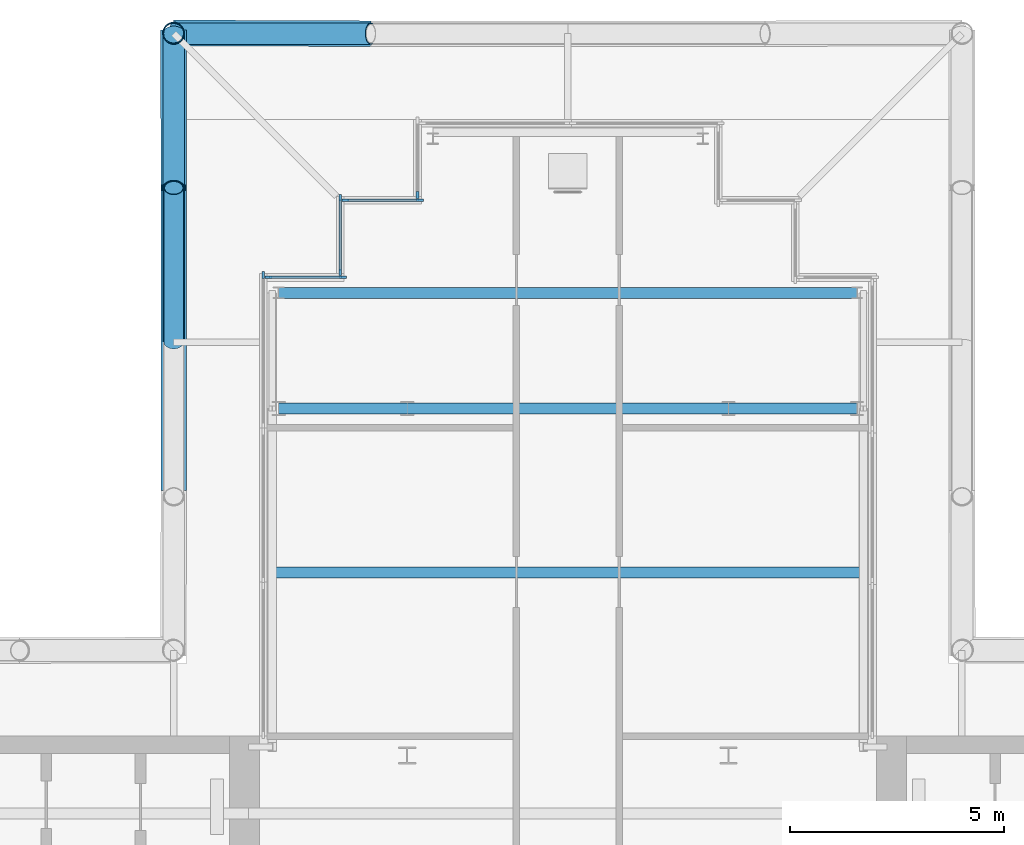
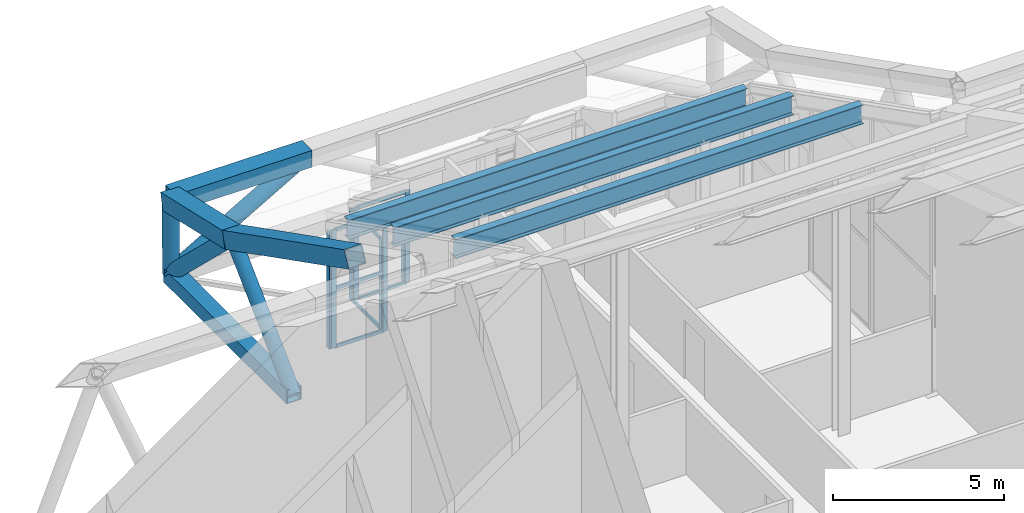
# One storey, part 13 of 25: 23 members, 3 beams, 5 elements without a shape of their own.
"""IFC4 building model written with IfcOpenShell, lengths in metres."""

from ifc_helpers import new_model, si_unit, direction, frame, origin, origin_2d, place, context, subcontext, project, spatial, rectangle, hollow_rectangle, hollow_circle, i_section, extrude, material, material_profile, profile_set, type_object, element, aggregate, save


model = new_model("IFC4")

# Units and contexts
model_context = context("Model", 3, precision=1e-05, world=origin(), true_north=direction((0.0, 1.0)))
body_context = subcontext(model_context, "Body", "Model", "MODEL_VIEW")
ifc_project = project(units=[si_unit("LENGTHUNIT", "METRE"), si_unit("AREAUNIT", "SQUARE_METRE"), si_unit("VOLUMEUNIT", "CUBIC_METRE"), si_unit("PLANEANGLEUNIT", "RADIAN"), si_unit("MASSUNIT", "GRAM", prefix="KILO")], contexts=[model_context])

# Site, building, storey
site_placement = place(None, origin())
site = spatial("IfcSite", under=ifc_project, at=site_placement, CompositionType="ELEMENT")
building_placement = place(site_placement, origin())
building = spatial("IfcBuilding", under=site, at=building_placement, Name="Fustian Cross Tower", CompositionType="ELEMENT")
storey_placement = place(building_placement, frame((0.0, 0.0, 247.5)))
storey = spatial("IfcBuildingStorey", under=building, at=storey_placement, Name="L77", CompositionType="ELEMENT", Elevation=247.5)

# Curtain wall, member
ifc_material_1 = material(Name="Glass", Category="glass")
curtain_wall_type = type_object("IfcCurtainWallType", Name="CW6 CURTAIN WALL", PredefinedType="NOTDEFINED", material=ifc_material_1)
curtain_wall_1_placement = place(storey_placement, origin())
curtain_wall_1 = element("IfcCurtainWall", 1, at=curtain_wall_1_placement, inside=storey, type_object=curtain_wall_type, Name="Curtain wall CW6", PredefinedType="NOTDEFINED")
ifc_material_2 = material(Name="Aluminium alloy 6063", Category="aluminium")
ifc_material_profile_1 = material_profile(ifc_material_2, rectangle(XDim=0.06005859375, YDim=0.159912109375, at=origin_2d()), Name="CW6 MULLION 60x160")
ifc_profile_set_1 = profile_set([ifc_material_profile_1], Name="Aluminium alloy 6063")
member_type_1 = type_object("IfcMemberType", Name="CW6 MULLION 60x160", PredefinedType="MULLION", material=ifc_profile_set_1)
member_1_placement = place(storey_placement, frame((-3.510009765625, 19.830078125, 0.0), z_axis=(0.0, 0.0, 1.0), x_axis=(1.0, 0.0, 0.0)))
member_1 = element("IfcMember", 2, at=member_1_placement, type_object=member_type_1, Name="CW6 mullion 2", PredefinedType="MULLION", context=body_context, shape_type="SweptSolid", body=[
    extrude(rectangle(XDim=0.06005859375, YDim=0.159912109375, at=origin_2d()), origin(), (0.0, 0.0, 1.0), 2.35009765625),
])
aggregate(curtain_wall_1, [member_1])

# Curtain wall, members
curtain_wall_2_placement = place(storey_placement, origin())
curtain_wall_2 = element("IfcCurtainWall", 3, at=curtain_wall_2_placement, inside=storey, type_object=curtain_wall_type, Name="Curtain wall CW6", PredefinedType="NOTDEFINED")
member_2_placement = place(storey_placement, frame((-3.449951171875, 19.7099609375, 0.0), z_axis=(0.0, 0.0, 1.0), x_axis=(0.0, -1.0, 0.0)))
member_2 = element("IfcMember", 4, at=member_2_placement, type_object=member_type_1, Name="CW6 mullion 1", PredefinedType="MULLION", context=body_context, shape_type="SweptSolid", body=[
    extrude(rectangle(XDim=0.06005859375, YDim=0.159912109375, at=origin_2d()), origin(), (0.0, 0.0, 1.0), 3.3125),
])
member_3_placement = place(storey_placement, frame((-5.18994140625, 19.7099609375, 0.0), z_axis=(0.0, 0.0, 1.0), x_axis=(0.0, -1.0, 0.0)))
member_3 = element("IfcMember", 5, at=member_3_placement, type_object=member_type_1, Name="CW6 mullion 2", PredefinedType="MULLION", context=body_context, shape_type="SweptSolid", body=[
    extrude(rectangle(XDim=0.06005859375, YDim=0.159912109375, at=origin_2d()), origin(), (0.0, 0.0, 1.0), 3.3125),
])

curtain_wall_3_placement = place(storey_placement, origin())
curtain_wall_3 = element("IfcCurtainWall", 6, at=curtain_wall_3_placement, inside=storey, type_object=curtain_wall_type, Name="Curtain wall CW6", PredefinedType="NOTDEFINED")
member_4_placement = place(storey_placement, frame((-5.31005859375, 19.77001953125, 0.0), z_axis=(0.0, 0.0, 1.0), x_axis=(1.0, 0.0, 0.0)))
member_4 = element("IfcMember", 7, at=member_4_placement, type_object=member_type_1, Name="CW6 mullion 1", PredefinedType="MULLION", context=body_context, shape_type="SweptSolid", body=[
    extrude(rectangle(XDim=0.06005859375, YDim=0.159912109375, at=origin_2d()), origin(), (0.0, 0.0, 1.0), 3.2666015625),
])
member_5_placement = place(storey_placement, frame((-5.31005859375, 18.030029296875, 0.0), z_axis=(0.0, 0.0, 1.0), x_axis=(1.0, 0.0, 0.0)))
member_5 = element("IfcMember", 8, at=member_5_placement, type_object=member_type_1, Name="CW6 mullion 2", PredefinedType="MULLION", context=body_context, shape_type="SweptSolid", body=[
    extrude(rectangle(XDim=0.06005859375, YDim=0.159912109375, at=origin_2d()), origin(), (0.0, 0.0, 1.0), 3.2666015625),
])

curtain_wall_4_placement = place(storey_placement, origin())
curtain_wall_4 = element("IfcCurtainWall", 9, at=curtain_wall_4_placement, inside=storey, type_object=curtain_wall_type, Name="Curtain wall CW6", PredefinedType="NOTDEFINED")
member_6_placement = place(storey_placement, frame((-5.25, 17.909912109375, 0.0), z_axis=(0.0, 0.0, 1.0), x_axis=(0.0, -1.0, 0.0)))
member_6 = element("IfcMember", 10, at=member_6_placement, type_object=member_type_1, Name="CW6 mullion 1", PredefinedType="MULLION", context=body_context, shape_type="SweptSolid", body=[
    extrude(rectangle(XDim=0.06005859375, YDim=0.159912109375, at=origin_2d()), origin(), (0.0, 0.0, 1.0), 4.229248046875),
])
member_7_placement = place(storey_placement, frame((-6.989990234375, 17.909912109375, 0.0), z_axis=(0.0, 0.0, 1.0), x_axis=(0.0, -1.0, 0.0)))
member_7 = element("IfcMember", 11, at=member_7_placement, type_object=member_type_1, Name="CW6 mullion 2", PredefinedType="MULLION", context=body_context, shape_type="SweptSolid", body=[
    extrude(rectangle(XDim=0.06005859375, YDim=0.159912109375, at=origin_2d()), origin(), (0.0, 0.0, 1.0), 4.229248046875),
])

# Curtain wall, member
curtain_wall_5_placement = place(storey_placement, origin())
curtain_wall_5 = element("IfcCurtainWall", 12, at=curtain_wall_5_placement, inside=storey, type_object=curtain_wall_type, Name="Curtain wall CW6", PredefinedType="NOTDEFINED")
member_8_placement = place(storey_placement, frame((-7.110107421875, 17.969970703125, 0.0), z_axis=(0.0, 0.0, 1.0), x_axis=(1.0, 0.0, 0.0)))
member_8 = element("IfcMember", 13, at=member_8_placement, type_object=member_type_1, Name="CW6 mullion 1", PredefinedType="MULLION", context=body_context, shape_type="SweptSolid", body=[
    extrude(rectangle(XDim=0.06005859375, YDim=0.159912109375, at=origin_2d()), origin(), (0.0, 0.0, 1.0), 4.183349609375),
])
aggregate(curtain_wall_5, [member_8])

# Member
ifc_material_3 = material(Name="Aluminium alloy 6063", Category="aluminium")
ifc_material_profile_2 = material_profile(ifc_material_3, rectangle(XDim=0.06005859375, YDim=0.1201171875, at=origin_2d()), Name="CW6 TRANSOM 60x120")
ifc_profile_set_2 = profile_set([ifc_material_profile_2], Name="Aluminium alloy 6063")
member_type_2 = type_object("IfcMemberType", Name="CW6 TRANSOM 60x120", PredefinedType="USERDEFINED", material=ifc_profile_set_2)
member_9_placement = place(storey_placement, frame((-3.47998046875, 19.7099609375, 0.030029296875), z_axis=(-1.0, 0.0, 0.0), x_axis=(0.0, -1.0, 0.0)))
member_9 = element("IfcMember", 14, at=member_9_placement, type_object=member_type_2, Name="CW6 transom 1.1", ObjectType="TRANSOM", PredefinedType="USERDEFINED", context=body_context, shape_type="SweptSolid", body=[
    extrude(rectangle(XDim=0.06005859375, YDim=0.1201171875, at=origin_2d()), origin(), (0.0, 0.0, 1.0), 1.679931640625),
])

member_10_placement = place(storey_placement, frame((-3.47998046875, 19.7099609375, 3.282470703125), z_axis=(-1.0, 0.0, 0.0), x_axis=(0.0, -1.0, 0.0)))
member_10 = element("IfcMember", 15, at=member_10_placement, type_object=member_type_2, Name="CW6 transom 1.2", ObjectType="TRANSOM", PredefinedType="USERDEFINED", context=body_context, shape_type="SweptSolid", body=[
    extrude(rectangle(XDim=0.06005859375, YDim=0.1201171875, at=origin_2d()), origin(), (0.0, 0.0, 1.0), 1.679931640625),
])

aggregate(curtain_wall_2, [member_2, member_3, member_9, member_10])

member_11_placement = place(storey_placement, frame((-5.31005859375, 19.739990234375, 0.030029296875), z_axis=(0.0, -1.0, 0.0), x_axis=(1.0, 0.0, 0.0)))
member_11 = element("IfcMember", 16, at=member_11_placement, type_object=member_type_2, Name="CW6 transom 1.1", ObjectType="TRANSOM", PredefinedType="USERDEFINED", context=body_context, shape_type="SweptSolid", body=[
    extrude(rectangle(XDim=0.06005859375, YDim=0.1201171875, at=origin_2d()), origin(), (0.0, 0.0, 1.0), 1.679931640625),
])

member_12_placement = place(storey_placement, frame((-5.31005859375, 19.739990234375, 3.236572265625), z_axis=(0.0, -1.0, 0.0), x_axis=(1.0, 0.0, 0.0)))
member_12 = element("IfcMember", 17, at=member_12_placement, type_object=member_type_2, Name="CW6 transom 1.2", ObjectType="TRANSOM", PredefinedType="USERDEFINED", context=body_context, shape_type="SweptSolid", body=[
    extrude(rectangle(XDim=0.06005859375, YDim=0.1201171875, at=origin_2d()), origin(), (0.0, 0.0, 1.0), 1.679931640625),
])

aggregate(curtain_wall_3, [member_4, member_5, member_11, member_12])

member_13_placement = place(storey_placement, frame((-5.280029296875, 17.909912109375, 0.030029296875), z_axis=(-1.0, 0.0, 0.0), x_axis=(0.0, -1.0, 0.0)))
member_13 = element("IfcMember", 18, at=member_13_placement, type_object=member_type_2, Name="CW6 transom 1.1", ObjectType="TRANSOM", PredefinedType="USERDEFINED", context=body_context, shape_type="SweptSolid", body=[
    extrude(rectangle(XDim=0.06005859375, YDim=0.1201171875, at=origin_2d()), origin(), (0.0, 0.0, 1.0), 1.679931640625),
])

member_14_placement = place(storey_placement, frame((-5.280029296875, 17.909912109375, 2.114501953125), z_axis=(-1.0, 0.0, 0.0), x_axis=(0.0, -1.0, 0.0)))
member_14 = element("IfcMember", 19, at=member_14_placement, type_object=member_type_2, Name="CW6 transom 1.2", ObjectType="TRANSOM", PredefinedType="USERDEFINED", context=body_context, shape_type="SweptSolid", body=[
    extrude(rectangle(XDim=0.06005859375, YDim=0.1201171875, at=origin_2d()), origin(), (0.0, 0.0, 1.0), 1.679931640625),
])

member_15_placement = place(storey_placement, frame((-5.280029296875, 17.909912109375, 4.19921875), z_axis=(-1.0, 0.0, 0.0), x_axis=(0.0, -1.0, 0.0)))
member_15 = element("IfcMember", 20, at=member_15_placement, type_object=member_type_2, Name="CW6 transom 1.3", ObjectType="TRANSOM", PredefinedType="USERDEFINED", context=body_context, shape_type="SweptSolid", body=[
    extrude(rectangle(XDim=0.06005859375, YDim=0.1201171875, at=origin_2d()), origin(), (0.0, 0.0, 1.0), 1.679931640625),
])

aggregate(curtain_wall_4, [member_6, member_7, member_13, member_14, member_15])

# Members
ifc_material_4 = material(Name="Steel S355", Category="steel")
ifc_material_profile_3 = material_profile(ifc_material_4, hollow_circle(Radius=0.228515625, WallThickness=0.01611328125, at=origin_2d()), Name="CHS 457x16")
ifc_profile_set_3 = profile_set([ifc_material_profile_3], Name="Steel S355")
member_type_3 = type_object("IfcMemberType", Name="DIAGRID DIAGONAL CHS 457x16", PredefinedType="BRACE", material=ifc_profile_set_3)
member_16_placement = place(storey_placement, frame((-9.199951171875, 16.39990234375, 0.0), z_axis=(0.0, 0.720511876136, 0.69344259773), x_axis=(-1.0, 0.0, 0.0)))
element("IfcMember", 21, at=member_16_placement, inside=storey, type_object=member_type_3, Name="Diagrid diagonal N-W 02", PredefinedType="BRACE", context=body_context, shape_type="SweptSolid", body=[
    extrude(hollow_circle(Radius=0.228515625, WallThickness=0.01611328125, at=origin_2d()), origin(), (0.0, 0.0, 1.0), 4.99658203125),
])
ifc_material_5 = material(Name="Steel S355", Category="steel")
ifc_material_profile_4 = material_profile(ifc_material_5, hollow_circle(Radius=0.25390625, WallThickness=0.02001953125, at=origin_2d()), Name="CHS 508x20")
ifc_profile_set_4 = profile_set([ifc_material_profile_4], Name="Steel S355")
member_type_4 = type_object("IfcMemberType", Name="DIAGRID DIAGONAL CHS 508x20", PredefinedType="BRACE", material=ifc_profile_set_4)
member_17_placement = place(storey_placement, frame((-9.199951171875, 23.60009765625, 0.0), z_axis=(0.866500097073, 0.0, 0.499176904285), x_axis=(0.0, 1.0, 0.0)))
element("IfcMember", 22, at=member_17_placement, inside=storey, type_object=member_type_4, Name="Diagrid diagonal N-end 04", PredefinedType="BRACE", context=body_context, shape_type="SweptSolid", body=[
    extrude(hollow_circle(Radius=0.25390625, WallThickness=0.02001953125, at=origin_2d()), origin(), (0.0, 0.0, 1.0), 5.30859375),
])
member_18_placement = place(storey_placement, frame((-9.199951171875, 23.60009765625, 0.0), z_axis=(-0.002763879677, 0.007001828516, 0.999971667282), x_axis=(-0.930155221331, -0.367166534736, 0.0)))
element("IfcMember", 23, at=member_18_placement, inside=storey, type_object=member_type_4, Name="Diagrid diagonal N-end 05", PredefinedType="BRACE", context=body_context, shape_type="SweptSolid", body=[
    extrude(hollow_circle(Radius=0.25390625, WallThickness=0.02001953125, at=origin_2d()), origin(), (0.0, 0.0, 1.0), 2.64990234375),
])
member_19_placement = place(storey_placement, frame((-9.199951171875, 23.60009765625, 0.0), z_axis=(0.0, -0.720511876136, 0.69344259773), x_axis=(1.0, 0.0, 0.0)))
element("IfcMember", 24, at=member_19_placement, inside=storey, type_object=member_type_4, Name="Diagrid diagonal N-W 01", PredefinedType="BRACE", context=body_context, shape_type="SweptSolid", body=[
    extrude(hollow_circle(Radius=0.25390625, WallThickness=0.02001953125, at=origin_2d()), origin(), (0.0, 0.0, 1.0), 4.99658203125),
])
ifc_material_6 = material(Name="Steel S355", Category="steel")
ifc_material_profile_5 = material_profile(ifc_material_6, hollow_rectangle(XDim=0.5, YDim=0.5, WallThickness=0.02490234375, at=origin_2d()), Name="RHS 500x500x25")
ifc_profile_set_5 = profile_set([ifc_material_profile_5], Name="Steel S355")
member_type_5 = type_object("IfcMemberType", Name="DIAGRID RING RHS 500x500x25", PredefinedType="MEMBER", material=ifc_profile_set_5)
member_20_placement = place(storey_placement, frame((-9.199951171875, 23.60009765625, 0.0), z_axis=(0.0, -1.0, 0.0), x_axis=(1.0, 0.0, 0.0)))
element("IfcMember", 25, at=member_20_placement, inside=storey, type_object=member_type_5, Name="Diagrid ring L77-09 L77-10", PredefinedType="MEMBER", context=body_context, shape_type="SweptSolid", body=[
    extrude(hollow_rectangle(XDim=0.5, YDim=0.5, WallThickness=0.02490234375, at=origin_2d()), origin(), (0.0, 0.0, 1.0), 7.2001953125),
])
ifc_material_7 = material(Name="Steel S355", Category="steel")
ifc_material_profile_6 = material_profile(ifc_material_7, hollow_rectangle(XDim=0.60009765625, YDim=0.60009765625, WallThickness=0.030029296875, at=origin_2d()), Name="RHS 600x600x30")
ifc_profile_set_6 = profile_set([ifc_material_profile_6], Name="Steel S355")
member_type_6 = type_object("IfcMemberType", Name="DIAGRID RING RHS 600x600x30", PredefinedType="MEMBER", material=ifc_profile_set_6)
member_21_placement = place(storey_placement, frame((-4.60009765625, 23.60009765625, 2.64990234375), z_axis=(-0.999991890351, 0.004027310883, 0.0), x_axis=(-0.004027310883, -0.999991890351, 0.0)))
element("IfcMember", 26, at=member_21_placement, inside=storey, type_object=member_type_6, Name="Diagrid ring TOP-11 TOP-12", PredefinedType="MEMBER", context=body_context, shape_type="SweptSolid", body=[
    extrude(hollow_rectangle(XDim=0.60009765625, YDim=0.60009765625, WallThickness=0.030029296875, at=origin_2d()), origin(), (0.0, 0.0, 1.0), 4.607177734375),
])
member_22_placement = place(storey_placement, frame((-9.207275390625, 23.61865234375, 2.64990234375), z_axis=(0.001974561147, -0.975564843852, 0.219702836917), x_axis=(0.999997951681, 0.002024014205, 0.0)))
element("IfcMember", 27, at=member_22_placement, inside=storey, type_object=member_type_6, Name="Diagrid ring TOP-12 TOP-13", PredefinedType="MEMBER", context=body_context, shape_type="SweptSolid", body=[
    extrude(hollow_rectangle(XDim=0.60009765625, YDim=0.60009765625, WallThickness=0.030029296875, at=origin_2d()), origin(), (0.0, 0.0, 1.0), 3.709228515625),
])
member_23_placement = place(storey_placement, frame((-9.199951171875, 20.0, 3.46484375), z_axis=(0.0, -0.891097137309, 0.453812617586), x_axis=(1.0, 0.0, 0.0)))
element("IfcMember", 28, at=member_23_placement, inside=storey, type_object=member_type_6, Name="Diagrid ring TOP-13 TOP-14", PredefinedType="MEMBER", context=body_context, shape_type="SweptSolid", body=[
    extrude(hollow_rectangle(XDim=0.60009765625, YDim=0.60009765625, WallThickness=0.030029296875, at=origin_2d()), origin(), (0.0, 0.0, 1.0), 8.079833984375),
])

# Beams
ifc_material_8 = material(Name="Steel S355", Category="steel")
ifc_material_profile_7 = material_profile(ifc_material_8, i_section(OverallWidth=0.255859375, OverallDepth=0.69287109375, WebThickness=0.014404296875, FlangeThickness=0.023681640625, FilletRadius=0.01513671875, at=origin_2d()), Name="UB 686x254x170")
ifc_profile_set_7 = profile_set([ifc_material_profile_7], Name="Steel S355")
beam_type = type_object("IfcBeamType", Name="ROOF PURLIN UB 686x254x170 S355", PredefinedType="BEAM", material=ifc_profile_set_7)
for number, where, z_axis, x_axis, name in (
    (29, (-6.75, 14.85009765625, 5.791015625), (1.0, 0.0, 0.0), (0.0, 1.0, 0.0), "ROOF BEAM 029"),
    (30, (-6.75, 17.550048828125, 4.416015625), (1.0, 0.0, 0.0), (0.0, 1.0, 0.0), "ROOF BEAM 030"),
):
    element("IfcBeam", number, at=place(storey_placement, frame(where, z_axis=z_axis, x_axis=x_axis)), inside=storey, type_object=beam_type, Name=name, PredefinedType="BEAM", context=body_context, shape_type="SweptSolid", body=[
        extrude(i_section(OverallWidth=0.255859375, OverallDepth=0.69287109375, WebThickness=0.014404296875, FlangeThickness=0.023681640625, FilletRadius=0.01513671875, at=origin_2d()), origin(), (0.0, 0.0, 1.0), 13.5),
    ])
beam_placement = place(storey_placement, frame((-6.89990234375, 11.02490234375, 7.739013671875), z_axis=(1.0, 0.0, 0.0), x_axis=(0.0, 1.0, 0.0)))
element("IfcBeam", 31, at=beam_placement, inside=storey, type_object=beam_type, Name="ROOF BEAM 031", PredefinedType="BEAM", context=body_context, shape_type="SweptSolid", body=[
    extrude(i_section(OverallWidth=0.255859375, OverallDepth=0.69287109375, WebThickness=0.014404296875, FlangeThickness=0.023681640625, FilletRadius=0.01513671875, at=origin_2d()), origin(), (0.0, 0.0, 1.0), 13.7998046875),
])

save(model, "model.ifc")
